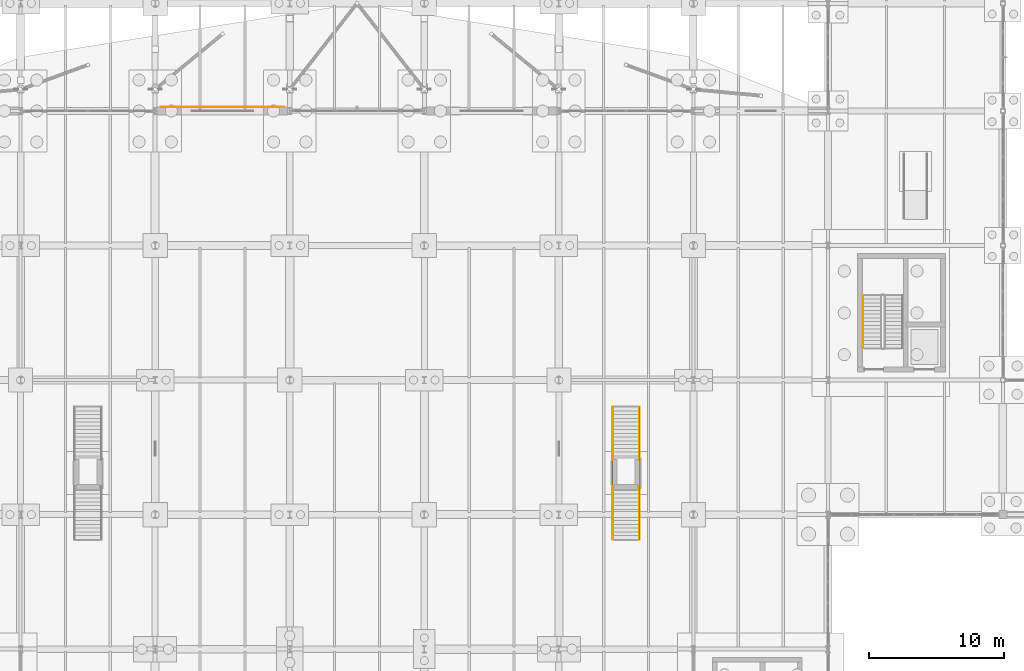
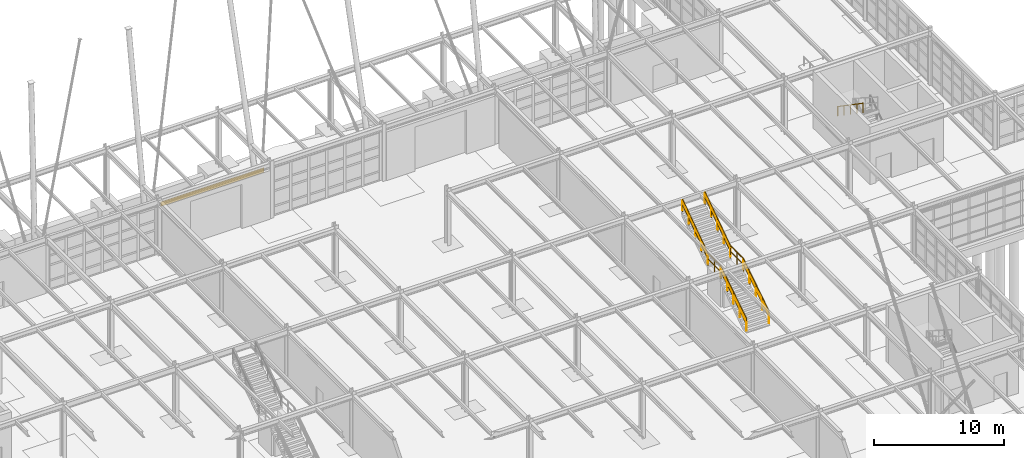
# One storey, part 137 of 145: 7 railings, 1 covering.
"""IFC4 building model written with IfcOpenShell, lengths in metres."""

from ifc_helpers import new_model, si_unit, direction, frame, origin, origin_2d, place, context, subcontext, project, spatial, polyline, circle, outline, extrude, material, layer, layer_set, type_object, element, save


model = new_model("IFC4")

# Units and contexts
model_context = context("Model", 3, precision=1e-05, world=origin(), true_north=direction((0.0, 1.0)))
body_context = subcontext(model_context, "Body", "Model", "MODEL_VIEW")
ifc_project = project(units=[si_unit("LENGTHUNIT", "METRE"), si_unit("AREAUNIT", "SQUARE_METRE"), si_unit("VOLUMEUNIT", "CUBIC_METRE"), si_unit("PLANEANGLEUNIT", "RADIAN"), si_unit("MASSUNIT", "GRAM", prefix="KILO"), si_unit("THERMODYNAMICTEMPERATUREUNIT", "KELVIN"), si_unit("POWERUNIT", "WATT")], contexts=[model_context])

# Site, building, storey
site_placement = place(None, origin())
site = spatial("IfcSite", under=ifc_project, at=site_placement, CompositionType="ELEMENT")
building_placement = place(site_placement, origin())
building = spatial("IfcBuilding", under=site, at=building_placement, Name="Korenveer Ferry Terminal", CompositionType="ELEMENT")
storey_placement = place(building_placement, origin())
storey = spatial("IfcBuildingStorey", under=building, at=storey_placement, Name="L00", CompositionType="ELEMENT", Elevation=0.0)

# Covering
ifc_material_1 = material(Name="Carved Belgian bluestone spandrel cladding", Category="masonry")
ifc_layer = layer(ifc_material_1, 0.050048828125)
ifc_layer_set = layer_set([ifc_layer], Name="Carved Belgian bluestone spandrel cladding")
covering_type = type_object("IfcCoveringType", Name="ENV-COV-STONE", PredefinedType="CLADDING", material=ifc_layer_set)
covering_placement = place(storey_placement, frame((0.0, 0.0, 4.159912109375)))
element("IfcCovering", 1, at=covering_placement, inside=storey, type_object=covering_type, Name="Belgian bluestone spandrel band 7", PredefinedType="CLADDING", context=body_context, shape_type="SweptSolid", body=[
    extrude(outline(polyline([(73.39990234375, 100.27490234375), (82.60009765625, 100.27490234375), (82.60009765625, 100.324951171875), (73.39990234375, 100.324951171875), (73.39990234375, 100.27490234375)])), origin(), (0.0, 0.0, 1.0), 0.420166015625),
])

# Railings
ifc_material_2 = material(Name="Brushed stainless steel handrail", Category="steel")
railing_type_1 = type_object("IfcRailingType", Name="INT-RL-HND90", PredefinedType="HANDRAIL", material=ifc_material_2)
railing_1_placement = place(storey_placement, frame((125.610107421875, 86.300048828125, 2.8798828125)))
element("IfcRailing", 2, at=railing_1_placement, inside=storey, type_object=railing_type_1, Name="L00 ST08 stair handrail 2", PredefinedType="HANDRAIL", context=body_context, shape_type="SweptSolid", body=[
    extrude(circle(Radius=0.02392578125, at=origin_2d()), frame((0.0, 0.0, 0.8759765625), z_axis=(0.0, -0.82354327477, 0.567253448276), x_axis=(1.0, 0.0, 0.0)), (0.0, 0.0, 1.0), 4.760009765625),
    extrude(circle(Radius=0.02099609375, at=origin_2d()), origin(), (0.0, 0.0, 1.0), 0.851806640625),
    extrude(circle(Radius=0.02099609375, at=origin_2d()), frame((0.0, -0.97998046875, 0.675048828125)), (0.0, 0.0, 1.0), 0.851806640625),
    extrude(circle(Radius=0.02099609375, at=origin_2d()), frame((0.0, -1.9599609375, 1.35009765625)), (0.0, 0.0, 1.0), 0.851806640625),
    extrude(circle(Radius=0.02099609375, at=origin_2d()), frame((0.0, -2.940185546875, 2.025146484375)), (0.0, 0.0, 1.0), 0.851806640625),
    extrude(circle(Radius=0.02099609375, at=origin_2d()), frame((0.0, -3.920166015625, 2.7001953125)), (0.0, 0.0, 1.0), 0.851806640625),
])
railing_2_placement = place(storey_placement, frame((107.0, 68.159912109375, 0.179931640625)))
element("IfcRailing", 3, at=railing_2_placement, inside=storey, type_object=railing_type_1, Name="Feature stair lower handrail ST14 W", PredefinedType="HANDRAIL", context=body_context, shape_type="SweptSolid", body=[
    extrude(circle(Radius=0.02392578125, at=origin_2d()), frame((0.0, 0.0, 0.8759765625), z_axis=(0.0, 0.823567234665, 0.567218661528), x_axis=(-1.0, 0.0, 0.0)), (0.0, 0.0, 1.0), 4.760009765625),
    extrude(circle(Radius=0.02099609375, at=origin_2d()), origin(), (0.0, 0.0, 1.0), 0.851806640625),
    extrude(circle(Radius=0.02099609375, at=origin_2d()), frame((0.0, 0.97998046875, 0.675048828125)), (0.0, 0.0, 1.0), 0.851806640625),
    extrude(circle(Radius=0.02099609375, at=origin_2d()), frame((0.0, 1.9599609375, 1.35009765625)), (0.0, 0.0, 1.0), 0.851806640625),
    extrude(circle(Radius=0.02099609375, at=origin_2d()), frame((0.0, 2.940185546875, 2.02490234375)), (0.0, 0.0, 1.0), 0.851806640625),
    extrude(circle(Radius=0.02099609375, at=origin_2d()), frame((0.0, 3.920166015625, 2.699951171875)), (0.0, 0.0, 1.0), 0.851806640625),
])
railing_3_placement = place(storey_placement, frame((107.0, 74.080078125, 2.8798828125)))
element("IfcRailing", 4, at=railing_3_placement, inside=storey, type_object=railing_type_1, Name="Feature stair upper handrail ST14 W", PredefinedType="HANDRAIL", context=body_context, shape_type="SweptSolid", body=[
    extrude(circle(Radius=0.02392578125, at=origin_2d()), frame((0.0, 0.0, 0.8759765625), z_axis=(0.0, 0.823526770215, 0.56727740898), x_axis=(-1.0, 0.0, 0.0)), (0.0, 0.0, 1.0), 4.760009765625),
    extrude(circle(Radius=0.02099609375, at=origin_2d()), origin(), (0.0, 0.0, 1.0), 0.851806640625),
    extrude(circle(Radius=0.02099609375, at=origin_2d()), frame((0.0, 0.97998046875, 0.675048828125)), (0.0, 0.0, 1.0), 0.851806640625),
    extrude(circle(Radius=0.02099609375, at=origin_2d()), frame((0.0, 1.9599609375, 1.35009765625)), (0.0, 0.0, 1.0), 0.851806640625),
    extrude(circle(Radius=0.02099609375, at=origin_2d()), frame((0.0, 2.93994140625, 2.025146484375)), (0.0, 0.0, 1.0), 0.851806640625),
    extrude(circle(Radius=0.02099609375, at=origin_2d()), frame((0.0, 3.919921875, 2.7001953125)), (0.0, 0.0, 1.0), 0.851806640625),
])
railing_4_placement = place(storey_placement, frame((109.0, 68.159912109375, 0.179931640625)))
element("IfcRailing", 5, at=railing_4_placement, inside=storey, type_object=railing_type_1, Name="Feature stair lower handrail ST14 E", PredefinedType="HANDRAIL", context=body_context, shape_type="SweptSolid", body=[
    extrude(circle(Radius=0.02392578125, at=origin_2d()), frame((0.0, 0.0, 0.8759765625), z_axis=(0.0, 0.823567234665, 0.567218661528), x_axis=(-1.0, 0.0, 0.0)), (0.0, 0.0, 1.0), 4.760009765625),
    extrude(circle(Radius=0.02099609375, at=origin_2d()), origin(), (0.0, 0.0, 1.0), 0.851806640625),
    extrude(circle(Radius=0.02099609375, at=origin_2d()), frame((0.0, 0.97998046875, 0.675048828125)), (0.0, 0.0, 1.0), 0.851806640625),
    extrude(circle(Radius=0.02099609375, at=origin_2d()), frame((0.0, 1.9599609375, 1.35009765625)), (0.0, 0.0, 1.0), 0.851806640625),
    extrude(circle(Radius=0.02099609375, at=origin_2d()), frame((0.0, 2.940185546875, 2.02490234375)), (0.0, 0.0, 1.0), 0.851806640625),
    extrude(circle(Radius=0.02099609375, at=origin_2d()), frame((0.0, 3.920166015625, 2.699951171875)), (0.0, 0.0, 1.0), 0.851806640625),
])
railing_5_placement = place(storey_placement, frame((109.0, 74.080078125, 2.8798828125)))
element("IfcRailing", 6, at=railing_5_placement, inside=storey, type_object=railing_type_1, Name="Feature stair upper handrail ST14 E", PredefinedType="HANDRAIL", context=body_context, shape_type="SweptSolid", body=[
    extrude(circle(Radius=0.02392578125, at=origin_2d()), frame((0.0, 0.0, 0.8759765625), z_axis=(0.0, 0.823526770215, 0.56727740898), x_axis=(-1.0, 0.0, 0.0)), (0.0, 0.0, 1.0), 4.760009765625),
    extrude(circle(Radius=0.02099609375, at=origin_2d()), origin(), (0.0, 0.0, 1.0), 0.851806640625),
    extrude(circle(Radius=0.02099609375, at=origin_2d()), frame((0.0, 0.97998046875, 0.675048828125)), (0.0, 0.0, 1.0), 0.851806640625),
    extrude(circle(Radius=0.02099609375, at=origin_2d()), frame((0.0, 1.9599609375, 1.35009765625)), (0.0, 0.0, 1.0), 0.851806640625),
    extrude(circle(Radius=0.02099609375, at=origin_2d()), frame((0.0, 2.93994140625, 2.025146484375)), (0.0, 0.0, 1.0), 0.851806640625),
    extrude(circle(Radius=0.02099609375, at=origin_2d()), frame((0.0, 3.919921875, 2.7001953125)), (0.0, 0.0, 1.0), 0.851806640625),
])
ifc_material_3 = material(Name="Painted steel stair guard", Category="steel")
railing_type_2 = type_object("IfcRailingType", Name="INT-RL-STGRD", PredefinedType="GUARDRAIL", material=ifc_material_3)
railing_6_placement = place(storey_placement, frame((107.0, 68.159912109375, 0.179931640625)))
element("IfcRailing", 7, at=railing_6_placement, inside=storey, type_object=railing_type_2, Name="Feature stair guard ST14 W", PredefinedType="GUARDRAIL", context=body_context, shape_type="SweptSolid", body=[
    extrude(circle(Radius=0.02392578125, at=origin_2d()), frame((0.0, 0.0, 1.17578125), z_axis=(0.0, 0.841186985886, 0.540744352514), x_axis=(-1.0, 0.0, 0.0)), (0.0, 0.0, 1.0), 4.660400390625),
    extrude(circle(Radius=0.01806640625, at=origin_2d()), frame((0.0, 0.0, 0.6240234375), z_axis=(0.0, 0.841186985886, 0.540744352514), x_axis=(-1.0, 0.0, 0.0)), (0.0, 0.0, 1.0), 4.660400390625),
    extrude(circle(Radius=0.02392578125, at=origin_2d()), frame((0.0, 3.920166015625, 3.69580078125), z_axis=(0.0, 1.0, 0.0), x_axis=(-1.0, 0.0, 0.0)), (0.0, 0.0, 1.0), 2.0),
    extrude(circle(Radius=0.01806640625, at=origin_2d()), frame((0.0, 3.920166015625, 3.14404296875), z_axis=(0.0, 1.0, 0.0), x_axis=(-1.0, 0.0, 0.0)), (0.0, 0.0, 1.0), 2.0),
    extrude(circle(Radius=0.02392578125, at=origin_2d()), frame((0.0, 5.920166015625, 3.69580078125), z_axis=(0.0, 0.823550731654, 0.567242622158), x_axis=(-1.0, 0.0, 0.0)), (0.0, 0.0, 1.0), 4.759765625),
    extrude(circle(Radius=0.01806640625, at=origin_2d()), frame((0.0, 5.920166015625, 3.14404296875), z_axis=(0.0, 0.823550731654, 0.567242622158), x_axis=(-1.0, 0.0, 0.0)), (0.0, 0.0, 1.0), 4.759765625),
    extrude(circle(Radius=0.02099609375, at=origin_2d()), origin(), (0.0, 0.0, 1.0), 1.15185546875),
    extrude(circle(Radius=0.02099609375, at=origin_2d()), frame((0.0, 0.97998046875, 0.6298828125)), (0.0, 0.0, 1.0), 1.15185546875),
    extrude(circle(Radius=0.02099609375, at=origin_2d()), frame((0.0, 1.9599609375, 1.260009765625)), (0.0, 0.0, 1.0), 1.15185546875),
    extrude(circle(Radius=0.02099609375, at=origin_2d()), frame((0.0, 2.940185546875, 1.89013671875)), (0.0, 0.0, 1.0), 1.15185546875),
    extrude(circle(Radius=0.02099609375, at=origin_2d()), frame((0.0, 3.920166015625, 2.52001953125)), (0.0, 0.0, 1.0), 1.15185546875),
    extrude(circle(Radius=0.02099609375, at=origin_2d()), frame((0.0, 4.920166015625, 2.52001953125)), (0.0, 0.0, 1.0), 1.15185546875),
    extrude(circle(Radius=0.02099609375, at=origin_2d()), frame((0.0, 5.920166015625, 2.52001953125)), (0.0, 0.0, 1.0), 1.15185546875),
    extrude(circle(Radius=0.02099609375, at=origin_2d()), frame((0.0, 6.900146484375, 3.195068359375)), (0.0, 0.0, 1.0), 1.15185546875),
    extrude(circle(Radius=0.02099609375, at=origin_2d()), frame((0.0, 7.880126953125, 3.8701171875)), (0.0, 0.0, 1.0), 1.15185546875),
    extrude(circle(Radius=0.02099609375, at=origin_2d()), frame((0.0, 8.860107421875, 4.544921875)), (0.0, 0.0, 1.0), 1.15185546875),
    extrude(circle(Radius=0.02099609375, at=origin_2d()), frame((0.0, 9.840087890625, 5.219970703125)), (0.0, 0.0, 1.0), 1.15185546875),
])
railing_7_placement = place(storey_placement, frame((109.0, 68.159912109375, 0.179931640625)))
element("IfcRailing", 8, at=railing_7_placement, inside=storey, type_object=railing_type_2, Name="Feature stair guard ST14 E", PredefinedType="GUARDRAIL", context=body_context, shape_type="SweptSolid", body=[
    extrude(circle(Radius=0.02392578125, at=origin_2d()), frame((0.0, 0.0, 1.17578125), z_axis=(0.0, 0.841186985886, 0.540744352514), x_axis=(-1.0, 0.0, 0.0)), (0.0, 0.0, 1.0), 4.660400390625),
    extrude(circle(Radius=0.01806640625, at=origin_2d()), frame((0.0, 0.0, 0.6240234375), z_axis=(0.0, 0.841186985886, 0.540744352514), x_axis=(-1.0, 0.0, 0.0)), (0.0, 0.0, 1.0), 4.660400390625),
    extrude(circle(Radius=0.02392578125, at=origin_2d()), frame((0.0, 3.920166015625, 3.69580078125), z_axis=(0.0, 1.0, 0.0), x_axis=(-1.0, 0.0, 0.0)), (0.0, 0.0, 1.0), 2.0),
    extrude(circle(Radius=0.01806640625, at=origin_2d()), frame((0.0, 3.920166015625, 3.14404296875), z_axis=(0.0, 1.0, 0.0), x_axis=(-1.0, 0.0, 0.0)), (0.0, 0.0, 1.0), 2.0),
    extrude(circle(Radius=0.02392578125, at=origin_2d()), frame((0.0, 5.920166015625, 3.69580078125), z_axis=(0.0, 0.823550731654, 0.567242622158), x_axis=(-1.0, 0.0, 0.0)), (0.0, 0.0, 1.0), 4.759765625),
    extrude(circle(Radius=0.01806640625, at=origin_2d()), frame((0.0, 5.920166015625, 3.14404296875), z_axis=(0.0, 0.823550731654, 0.567242622158), x_axis=(-1.0, 0.0, 0.0)), (0.0, 0.0, 1.0), 4.759765625),
    extrude(circle(Radius=0.02099609375, at=origin_2d()), origin(), (0.0, 0.0, 1.0), 1.15185546875),
    extrude(circle(Radius=0.02099609375, at=origin_2d()), frame((0.0, 0.97998046875, 0.6298828125)), (0.0, 0.0, 1.0), 1.15185546875),
    extrude(circle(Radius=0.02099609375, at=origin_2d()), frame((0.0, 1.9599609375, 1.260009765625)), (0.0, 0.0, 1.0), 1.15185546875),
    extrude(circle(Radius=0.02099609375, at=origin_2d()), frame((0.0, 2.940185546875, 1.89013671875)), (0.0, 0.0, 1.0), 1.15185546875),
    extrude(circle(Radius=0.02099609375, at=origin_2d()), frame((0.0, 3.920166015625, 2.52001953125)), (0.0, 0.0, 1.0), 1.15185546875),
    extrude(circle(Radius=0.02099609375, at=origin_2d()), frame((0.0, 4.920166015625, 2.52001953125)), (0.0, 0.0, 1.0), 1.15185546875),
    extrude(circle(Radius=0.02099609375, at=origin_2d()), frame((0.0, 5.920166015625, 2.52001953125)), (0.0, 0.0, 1.0), 1.15185546875),
    extrude(circle(Radius=0.02099609375, at=origin_2d()), frame((0.0, 6.900146484375, 3.195068359375)), (0.0, 0.0, 1.0), 1.15185546875),
    extrude(circle(Radius=0.02099609375, at=origin_2d()), frame((0.0, 7.880126953125, 3.8701171875)), (0.0, 0.0, 1.0), 1.15185546875),
    extrude(circle(Radius=0.02099609375, at=origin_2d()), frame((0.0, 8.860107421875, 4.544921875)), (0.0, 0.0, 1.0), 1.15185546875),
    extrude(circle(Radius=0.02099609375, at=origin_2d()), frame((0.0, 9.840087890625, 5.219970703125)), (0.0, 0.0, 1.0), 1.15185546875),
])

save(model, "model.ifc")
